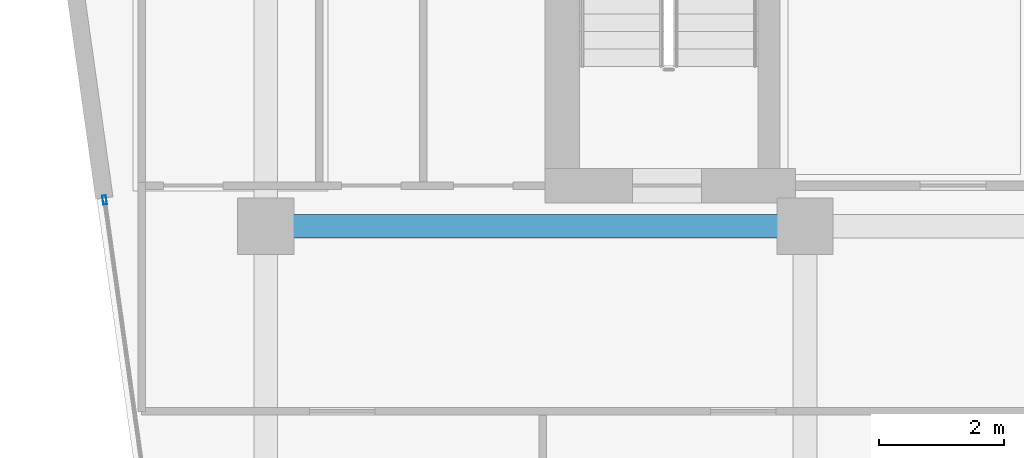
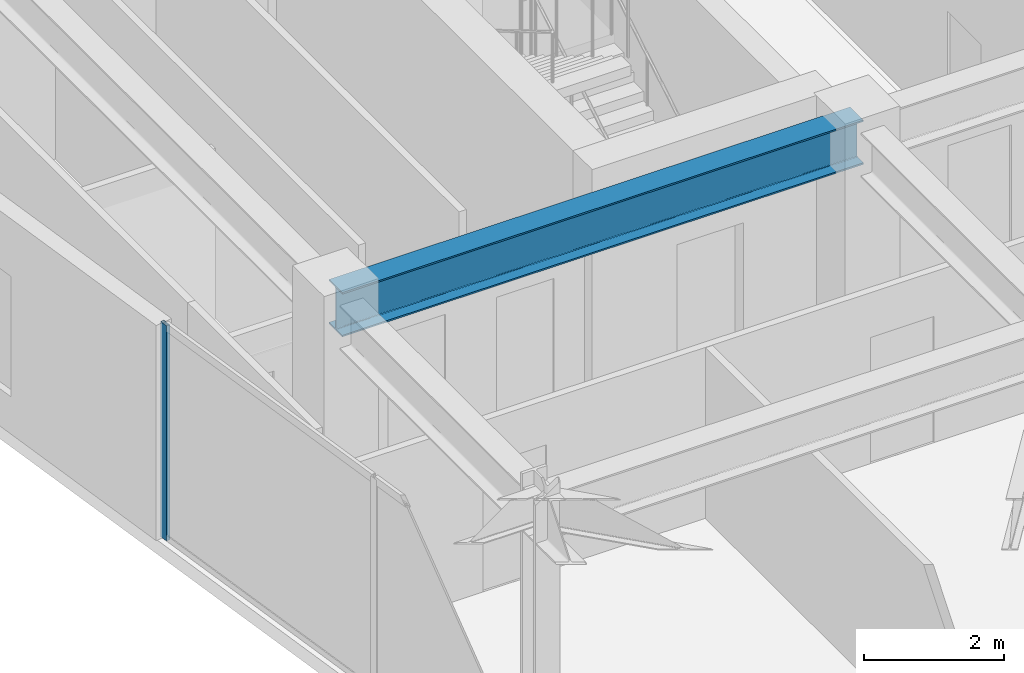
# One storey, part 12 of 27: 1 beam, 1 member, 1 element without a shape of its own.
"""IFC4 building model written with IfcOpenShell, lengths in metres."""

import ifcopenshell
import ifcopenshell.guid

model = None  # the IFC model being written
_history = None  # IfcOwnerHistory: only IFC2X3 demands one
_inside = {}  # id of a spatial element -> (the spatial element, [elements in it])
_under = {}  # id of a project, library or spatial element -> (it, [spatial elements below it])
_declared = {}  # id of a project -> (the project, [libraries it declares])
_typed = {}  # id of a type object -> (the type object, [elements of that type])
_made_of = {}  # id of a material, layer set ... -> (it, [elements and type objects made of it])


def new_model(schema):
    """Start an empty IFC model of exactly this schema.

    Asked for "IFC4X3", IfcOpenShell would pick the latest addendum, in which some entities
    have other attributes; the version numbers below select the first issue.
    IFC2X3 requires an IfcOwnerHistory on every rooted entity: one is made here for all.
    """
    global model, _history
    if schema == "IFC4X3":
        model = ifcopenshell.file(schema_version=(4, 3, 0, 0))
    else:
        model = ifcopenshell.file(schema=schema)
    _inside.clear()
    _under.clear()
    _declared.clear()
    _typed.clear()
    _made_of.clear()
    _history = None
    if model.schema == "IFC2X3":
        org = make("IfcOrganization", Name="unknown")
        user = make(
            "IfcPersonAndOrganization",
            ThePerson=make("IfcPerson", FamilyName="unknown"),
            TheOrganization=org,
        )
        app = make(
            "IfcApplication",
            ApplicationDeveloper=org,
            Version="unknown",
            ApplicationFullName="unknown",
            ApplicationIdentifier="unknown",
        )
        _history = make(
            "IfcOwnerHistory",
            OwningUser=user,
            OwningApplication=app,
            ChangeAction="ADDED",
            CreationDate=0,
        )
    return model


def make(cls, **values):
    """One entity of the class cls with the attributes given. An attribute that is None is left unset."""
    return model.create_entity(
        cls, **{name: value for name, value in values.items() if value is not None}
    )


def rooted(cls, **values):
    """An entity with a GlobalId (a new one), such as an element, a storey or a relation."""
    return make(cls, GlobalId=ifcopenshell.guid.new(), OwnerHistory=_history, **values)


def si_unit(unit_type, name, prefix=None):
    """IfcSIUnit, for example si_unit("LENGTHUNIT", "METRE", prefix="MILLI")."""
    return make("IfcSIUnit", UnitType=unit_type, Prefix=prefix, Name=name)


def assignment(units):
    """IfcUnitAssignment: the units of a project."""
    return None if units is None else make("IfcUnitAssignment", Units=units)


def point(xyz):
    """IfcCartesianPoint."""
    return None if xyz is None else make("IfcCartesianPoint", Coordinates=xyz)


def direction(xyz):
    """IfcDirection."""
    return None if xyz is None else make("IfcDirection", DirectionRatios=xyz)


def frame(location, z_axis=None, x_axis=None):
    """IfcAxis2Placement3D, a coordinate frame: its origin and axes. An axis left out is left unset."""
    return make(
        "IfcAxis2Placement3D",
        Location=point(location),
        Axis=direction(z_axis),
        RefDirection=direction(x_axis),
    )


def frame_2d(location, x_axis=None):
    """IfcAxis2Placement2D, a coordinate frame in the plane: its origin and x axis."""
    return make(
        "IfcAxis2Placement2D", Location=point(location), RefDirection=direction(x_axis)
    )


def origin():
    """The frame at (0, 0, 0) with its axes left unset."""
    return frame((0.0, 0.0, 0.0))


def origin_2d():
    """The frame at (0, 0) in the plane with its x axis left unset."""
    return frame_2d((0.0, 0.0))


def place(relative_to, where):
    """IfcLocalPlacement: puts the frame where relative to a parent placement (None: the world)."""
    return make(
        "IfcLocalPlacement", PlacementRelTo=relative_to, RelativePlacement=where
    )


def context(
    kind, dimensions, precision=None, world=None, true_north=None, identifier=None
):
    """IfcGeometricRepresentationContext, for example the 3D "Model" context."""
    return make(
        "IfcGeometricRepresentationContext",
        ContextIdentifier=identifier,
        ContextType=kind,
        CoordinateSpaceDimension=dimensions,
        Precision=precision,
        WorldCoordinateSystem=world,
        TrueNorth=true_north,
    )


def subcontext(parent, identifier, kind, view, scale=None):
    """IfcGeometricRepresentationSubContext, for example "Body" below "Model"."""
    return make(
        "IfcGeometricRepresentationSubContext",
        ContextIdentifier=identifier,
        ContextType=kind,
        ParentContext=parent,
        TargetScale=scale,
        TargetView=view,
    )


def project(units=None, contexts=None):
    """IfcProject with its units and contexts."""
    return rooted(
        "IfcProject",
        Name="project",
        RepresentationContexts=contexts,
        UnitsInContext=assignment(units),
    )


def spatial(cls, under=None, at=None, **own):
    """A site, building, storey or space (cls), placed at a placement, below another one or the project."""
    s = rooted(cls, ObjectPlacement=at, **own)
    if under is not None:
        _under.setdefault(under.id(), (under, []))[1].append(s)
    return s


def profile(cls, at=None, kind="AREA", **sizes):
    """A parametric profile (cls). Its sizes go by their IFC names, for example OverallWidth=200.0."""
    return make(cls, ProfileType=kind, Position=at, **sizes)


def hollow_rectangle(**sizes):
    """IfcRectangleHollowProfileDef."""
    return profile("IfcRectangleHollowProfileDef", **sizes)


def i_section(**sizes):
    """IfcIShapeProfileDef."""
    return profile("IfcIShapeProfileDef", **sizes)


def extrude(swept, where, along, depth):
    """IfcExtrudedAreaSolid: the profile swept, set in the frame where, extruded along a direction by depth."""
    return make(
        "IfcExtrudedAreaSolid",
        SweptArea=swept,
        Position=where,
        ExtrudedDirection=direction(along),
        Depth=depth,
    )


def shape(context_of_items, identifier, shape_type, items):
    """IfcShapeRepresentation: the items that make up one representation, for example the "Body"."""
    return make(
        "IfcShapeRepresentation",
        ContextOfItems=context_of_items,
        RepresentationIdentifier=identifier,
        RepresentationType=shape_type,
        Items=items,
    )


def material(Name=None, Category=None):
    """IfcMaterial."""
    return make("IfcMaterial", Name=Name, Category=Category)


def layer(
    of_material, thickness, ventilated=None, Name=None, Category=None, Priority=None
):
    """IfcMaterialLayer: one layer of a wall or slab, of a material (None: an air gap)."""
    return make(
        "IfcMaterialLayer",
        Material=of_material,
        LayerThickness=thickness,
        IsVentilated=ventilated,
        Name=Name,
        Category=Category,
        Priority=Priority,
    )


def layer_set(layers, Name=None):
    """IfcMaterialLayerSet."""
    return make("IfcMaterialLayerSet", MaterialLayers=layers, LayerSetName=Name)


def material_profile(
    of_material, cross_section, Name=None, Category=None, Priority=None
):
    """IfcMaterialProfile: a cross section and its material."""
    return make(
        "IfcMaterialProfile",
        Name=Name,
        Material=of_material,
        Profile=cross_section,
        Priority=Priority,
        Category=Category,
    )


def profile_set(profiles, Name=None, composite=None):
    """IfcMaterialProfileSet."""
    return make(
        "IfcMaterialProfileSet",
        Name=Name,
        MaterialProfiles=profiles,
        CompositeProfile=composite,
    )


def made_of(thing, what):
    """Note that an element or type object is made of a material, layer set ...; save() writes the relation."""
    if what is not None:
        _made_of.setdefault(what.id(), (what, []))[1].append(thing)
    return thing


def type_object(cls, material=None, **own):
    """A type object (cls), such as IfcWallType, which elements share."""
    return made_of(rooted(cls, **own), material)


def element(
    cls,
    number,
    at=None,
    inside=None,
    cuts=None,
    type_object=None,
    material=None,
    context=None,
    identifier="Body",
    shape_type=None,
    held_by="IfcProductDefinitionShape",
    body=None,
    shapes=None,
    **own,
):
    """One element of the class cls, such as IfcWall. Its Tag is "e" and its number.

    at: its placement. inside: the storey or other place that contains it. cuts: it is an
    opening in that element (IfcRelVoidsElement). A single representation is given by context,
    identifier, shape_type and body (its items); several are given by shapes. held_by: the class
    of the entity that holds the representations. save() writes the other relations.
    """
    e = rooted(cls, Tag="e%d" % number, ObjectPlacement=at, **own)
    if body is not None:
        shapes = [shape(context, identifier, shape_type, body)]
    if shapes is not None:
        e.Representation = make(held_by, Representations=shapes)
    if inside is not None:
        _inside.setdefault(inside.id(), (inside, []))[1].append(e)
    if cuts is not None:
        rooted(
            "IfcRelVoidsElement", RelatingBuildingElement=cuts, RelatedOpeningElement=e
        )
    if type_object is not None:
        _typed.setdefault(type_object.id(), (type_object, []))[1].append(e)
    return made_of(e, material)


def aggregate(whole, parts):
    """IfcRelAggregates: a whole, such as a stair, and the parts it consists of."""
    return rooted("IfcRelAggregates", RelatingObject=whole, RelatedObjects=parts)


def save(model, path):
    """Write the relations noted so far, then the file.

    IfcRelAggregates (storeys below a building ...), IfcRelContainedInSpatialStructure (elements
    in a storey), IfcRelDefinesByType, IfcRelAssociatesMaterial and IfcRelDeclares: one each for
    every whole, place, type object, material and project.
    """
    for whole, parts in _under.values():
        aggregate(whole, parts)
    for where, things in _inside.values():
        rooted(
            "IfcRelContainedInSpatialStructure",
            RelatedElements=things,
            RelatingStructure=where,
        )
    for kind, things in _typed.values():
        rooted("IfcRelDefinesByType", RelatedObjects=things, RelatingType=kind)
    for what, things in _made_of.values():
        rooted("IfcRelAssociatesMaterial", RelatedObjects=things, RelatingMaterial=what)
    for by, libraries in _declared.values():
        rooted("IfcRelDeclares", RelatingContext=by, RelatedDefinitions=libraries)
    model.write(path)


model = new_model("IFC4")

# Units and contexts
model_context = context("Model", 3, precision=1e-05, world=origin(), true_north=direction((0.0, 1.0)))
body_context = subcontext(model_context, "Body", "Model", "MODEL_VIEW")
ifc_project = project(units=[si_unit("LENGTHUNIT", "METRE"), si_unit("AREAUNIT", "SQUARE_METRE"), si_unit("VOLUMEUNIT", "CUBIC_METRE"), si_unit("PLANEANGLEUNIT", "RADIAN"), si_unit("MASSUNIT", "GRAM", prefix="KILO")], contexts=[model_context])

# Site, building, storey
site_placement = place(None, origin())
site = spatial("IfcSite", under=ifc_project, at=site_placement, CompositionType="ELEMENT")
building_placement = place(site_placement, origin())
building = spatial("IfcBuilding", under=site, at=building_placement, Name="Kravanh Interchange Tower", CompositionType="ELEMENT")
storey_placement = place(building_placement, frame((0.0, 0.0, 164.5)))
storey = spatial("IfcBuildingStorey", under=building, at=storey_placement, Name="L39", CompositionType="ELEMENT", Elevation=164.5)

# Curtain wall, member
ifc_material_1 = material(Name="Anodised Bronze Aluminium", Category="aluminium")
ifc_layer = layer(ifc_material_1, 0.179931640625)
ifc_layer_set = layer_set([ifc_layer], Name="Unitised Curtain Wall System CW-Z3 Upper Office")
curtain_wall_type = type_object("IfcCurtainWallType", Name="Unitised Curtain Wall System CW-Z3 Upper Office", PredefinedType="NOTDEFINED", material=ifc_layer_set)
curtain_wall_placement = place(storey_placement, origin())
curtain_wall = element("IfcCurtainWall", 1, at=curtain_wall_placement, inside=storey, type_object=curtain_wall_type, Name="L39 Unitised Curtain Wall CW-L39-01", PredefinedType="NOTDEFINED")
ifc_material_2 = material(Name="Anodised Bronze Aluminium", Category="aluminium")
ifc_material_profile_1 = material_profile(ifc_material_2, hollow_rectangle(XDim=0.06005859375, YDim=0.139892578125, WallThickness=0.00390625, at=origin_2d()), Name="ALU60X140X4")
ifc_profile_set_1 = profile_set([ifc_material_profile_1], Name="Anodised Bronze Aluminium")
member_type = type_object("IfcMemberType", Name="Curtain Wall Mullion ALU60X140X4 Bronze", PredefinedType="MULLION", material=ifc_profile_set_1)
member_placement = place(storey_placement, frame((16.029296875, 37.770263671875, 0.0), z_axis=(0.0, 0.0, 1.0), x_axis=(-0.990268194035, -0.139172209446, 0.0)))
member = element("IfcMember", 2, at=member_placement, type_object=member_type, Name="CW-Z3 mullion 6", PredefinedType="MULLION", context=body_context, shape_type="SweptSolid", body=[
    extrude(hollow_rectangle(XDim=0.06005859375, YDim=0.139892578125, WallThickness=0.00390625, at=origin_2d()), origin(), (0.0, 0.0, 1.0), 3.7548828125),
])
aggregate(curtain_wall, [member])

# Beam
ifc_material_3 = material(Name="Structural Steel S355", Category="steel")
ifc_material_profile_2 = material_profile(ifc_material_3, i_section(OverallWidth=0.381103515625, OverallDepth=0.77294921875, WebThickness=0.0166015625, FlangeThickness=0.027099609375, FilletRadius=0.02490234375, at=origin_2d()), Name="W30X173")
ifc_profile_set_2 = profile_set([ifc_material_profile_2], Name="Structural Steel S355")
beam_type = type_object("IfcBeamType", Name="Floor Beam W30X173 Structural Steel S355", PredefinedType="BEAM", material=ifc_profile_set_2)
beam_placement = place(storey_placement, frame((27.199951171875, 37.35009765625, 3.368408203125), z_axis=(-1.0, 0.0, 0.0), x_axis=(0.0, -1.0, 0.0)))
element("IfcBeam", 3, at=beam_placement, inside=storey, type_object=beam_type, Name="L39 Primary Floor Girder 25", PredefinedType="BEAM", context=body_context, shape_type="SweptSolid", body=[
    extrude(i_section(OverallWidth=0.381103515625, OverallDepth=0.77294921875, WebThickness=0.0166015625, FlangeThickness=0.027099609375, FilletRadius=0.02490234375, at=origin_2d()), origin(), (0.0, 0.0, 1.0), 8.599853515625),
])

save(model, "model.ifc")
